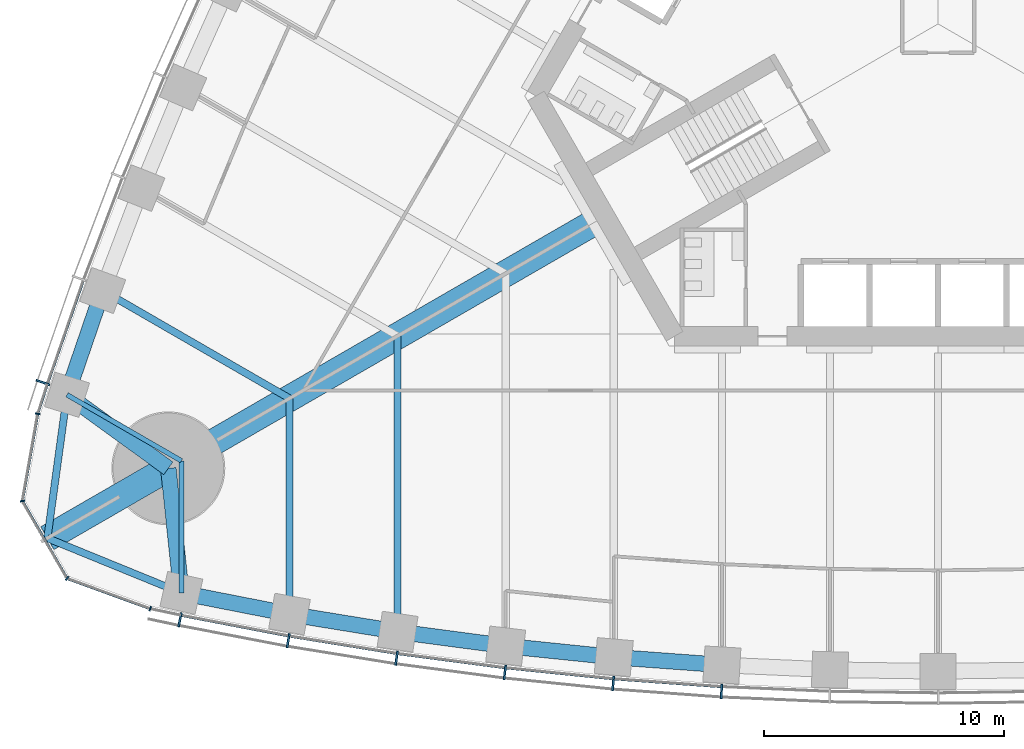
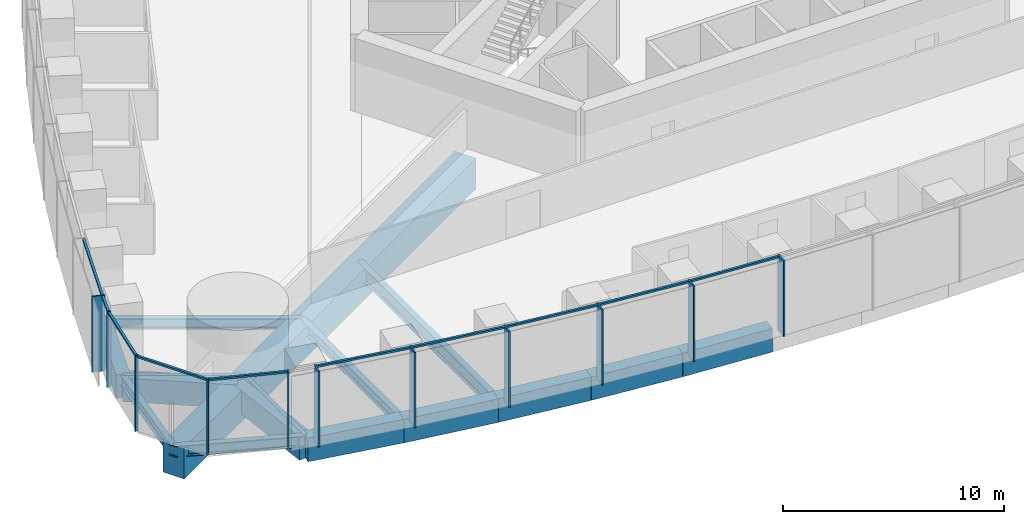
# One storey, part 2 of 18: 21 members, 17 beams, 3 elements without a shape of their own.
"""IFC4 building model written with IfcOpenShell, lengths in metres."""

from ifc_helpers import new_model, si_unit, direction, frame, origin, origin_2d, place, context, subcontext, project, spatial, rectangle, i_section, extrude, material, material_profile, profile_set, type_object, element, aggregate, save


model = new_model("IFC4")

# Units and contexts
model_context = context("Model", 3, precision=1e-05, world=origin(), true_north=direction((0.0, 1.0)))
body_context = subcontext(model_context, "Body", "Model", "MODEL_VIEW")
ifc_project = project(units=[si_unit("LENGTHUNIT", "METRE"), si_unit("AREAUNIT", "SQUARE_METRE"), si_unit("VOLUMEUNIT", "CUBIC_METRE"), si_unit("PLANEANGLEUNIT", "RADIAN"), si_unit("MASSUNIT", "GRAM", prefix="KILO")], contexts=[model_context])

# Site, building, storey
site_placement = place(None, origin())
site = spatial("IfcSite", under=ifc_project, at=site_placement, CompositionType="ELEMENT")
building_placement = place(site_placement, origin())
building = spatial("IfcBuilding", under=site, at=building_placement, Name="Trefoil Bronze Tower", CompositionType="ELEMENT")
storey_placement = place(building_placement, frame((0.0, 0.0, 54.300048828125)))
storey = spatial("IfcBuildingStorey", under=building, at=storey_placement, Name="L12", CompositionType="ELEMENT", Elevation=54.300048828125)

# Curtain wall, members
ifc_material_1 = material(Name="Tinted solar-control glass", Category="glass")
curtain_wall_type_1 = type_object("IfcCurtainWallType", Name="Bronze office curtain wall", PredefinedType="USERDEFINED", material=ifc_material_1)
curtain_wall_1_placement = place(storey_placement, origin())
curtain_wall_1 = element("IfcCurtainWall", 1, at=curtain_wall_1_placement, inside=storey, type_object=curtain_wall_type_1, Name="CW-A L12 F1", ObjectType="CURTAIN WALL", PredefinedType="USERDEFINED")
ifc_material_2 = material(Name="Bronze-finish aluminium", Category="aluminium")
ifc_material_profile_1 = material_profile(ifc_material_2, rectangle(XDim=0.60009765625, YDim=0.080078125, at=origin_2d()), Name="CW-A mullion")
ifc_profile_set_1 = profile_set([ifc_material_profile_1], Name="Bronze-finish aluminium")
member_type_1 = type_object("IfcMemberType", Name="Bronze office curtain wall mullion", PredefinedType="MULLION", material=ifc_profile_set_1)
member_1_placement = place(storey_placement, frame((-31.559326171875, -24.81005859375, 0.0), z_axis=(0.0, 0.0, 1.0), x_axis=(0.197910006829, 0.98022019424, 0.0)))
member_1 = element("IfcMember", 2, at=member_1_placement, type_object=member_type_1, Name="CW-A L12 F1 mullion 2", PredefinedType="MULLION", context=body_context, shape_type="SweptSolid", body=[
    extrude(rectangle(XDim=0.60009765625, YDim=0.080078125, at=origin_2d()), origin(), (0.0, 0.0, 1.0), 4.179931640625),
])
member_2_placement = place(storey_placement, frame((-27.05224609375, -25.67578125, 0.0), z_axis=(0.0, 0.0, 1.0), x_axis=(0.174131146426, 0.984722470468, 0.0)))
member_2 = element("IfcMember", 3, at=member_2_placement, type_object=member_type_1, Name="CW-A L12 F1 mullion 3", PredefinedType="MULLION", context=body_context, shape_type="SweptSolid", body=[
    extrude(rectangle(XDim=0.60009765625, YDim=0.080078125, at=origin_2d()), origin(), (0.0, 0.0, 1.0), 4.179931640625),
])
member_3_placement = place(storey_placement, frame((-22.54345703125, -26.40478515625, 0.0), z_axis=(0.0, 0.0, 1.0), x_axis=(0.145108990094, 0.989415676546, 0.0)))
member_3 = element("IfcMember", 4, at=member_3_placement, type_object=member_type_1, Name="CW-A L12 F1 mullion 4", PredefinedType="MULLION", context=body_context, shape_type="SweptSolid", body=[
    extrude(rectangle(XDim=0.60009765625, YDim=0.080078125, at=origin_2d()), origin(), (0.0, 0.0, 1.0), 4.179931640625),
])
member_4_placement = place(storey_placement, frame((-18.034912109375, -26.99853515625, 0.0), z_axis=(0.0, 0.0, 1.0), x_axis=(0.116086999973, 0.993239048989, 0.0)))
member_4 = element("IfcMember", 5, at=member_4_placement, type_object=member_type_1, Name="CW-A L12 F1 mullion 5", PredefinedType="MULLION", context=body_context, shape_type="SweptSolid", body=[
    extrude(rectangle(XDim=0.60009765625, YDim=0.080078125, at=origin_2d()), origin(), (0.0, 0.0, 1.0), 4.179931640625),
])
member_5_placement = place(storey_placement, frame((-13.526123046875, -27.458984375, 0.0), z_axis=(0.0, 0.0, 1.0), x_axis=(0.087065139456, 0.996202620701, 0.0)))
member_5 = element("IfcMember", 6, at=member_5_placement, type_object=member_type_1, Name="CW-A L12 F1 mullion 6", PredefinedType="MULLION", context=body_context, shape_type="SweptSolid", body=[
    extrude(rectangle(XDim=0.60009765625, YDim=0.080078125, at=origin_2d()), origin(), (0.0, 0.0, 1.0), 4.179931640625),
])
member_6_placement = place(storey_placement, frame((-9.017333984375, -27.786865234375, 0.0), z_axis=(0.0, 0.0, 1.0), x_axis=(0.058043374207, 0.998314062162, 0.0)))
member_6 = element("IfcMember", 7, at=member_6_placement, type_object=member_type_1, Name="CW-A L12 F1 mullion 7", PredefinedType="MULLION", context=body_context, shape_type="SweptSolid", body=[
    extrude(rectangle(XDim=0.60009765625, YDim=0.080078125, at=origin_2d()), origin(), (0.0, 0.0, 1.0), 4.179931640625),
])

# Curtain wall, member
curtain_wall_2_placement = place(storey_placement, origin())
curtain_wall_2 = element("IfcCurtainWall", 8, at=curtain_wall_2_placement, inside=storey, type_object=curtain_wall_type_1, Name="CW-A L12 F3", ObjectType="CURTAIN WALL", PredefinedType="USERDEFINED")
member_7_placement = place(storey_placement, frame((-37.265869140625, -14.92626953125, 0.0), z_axis=(0.0, 0.0, 1.0), x_axis=(0.947850592929, -0.318715003543, 0.0)))
member_7 = element("IfcMember", 9, at=member_7_placement, type_object=member_type_1, Name="CW-A L12 F3 mullion 16", PredefinedType="MULLION", context=body_context, shape_type="SweptSolid", body=[
    extrude(rectangle(XDim=0.60009765625, YDim=0.080078125, at=origin_2d()), origin(), (0.0, 0.0, 1.0), 4.179931640625),
])

# Member
ifc_material_3 = material(Name="Bronze-finish aluminium", Category="aluminium")
ifc_material_profile_2 = material_profile(ifc_material_3, rectangle(XDim=0.1201171875, YDim=0.10009765625, at=origin_2d()), Name="CW-A transom")
ifc_profile_set_2 = profile_set([ifc_material_profile_2], Name="Bronze-finish aluminium")
member_type_2 = type_object("IfcMemberType", Name="Bronze office curtain wall transom", PredefinedType="USERDEFINED", material=ifc_profile_set_2)
member_8_placement = place(storey_placement, frame((-31.4794921875, -24.621826171875, 4.1298828125), z_axis=(0.982053603997, -0.188602011855, 0.0), x_axis=(0.188602011855, 0.982053603997, 0.0)))
member_8 = element("IfcMember", 10, at=member_8_placement, type_object=member_type_2, Name="CW-A L12 F1 transom 2", ObjectType="TRANSOM", PredefinedType="USERDEFINED", context=body_context, shape_type="SweptSolid", body=[
    extrude(rectangle(XDim=0.1201171875, YDim=0.10009765625, at=origin_2d()), origin(), (0.0, 0.0, 1.0), 4.502197265625),
])

member_9_placement = place(storey_placement, frame((-26.9765625, -25.4853515625, 4.1298828125), z_axis=(0.987179401487, -0.159614627398, 0.0), x_axis=(0.159614627398, 0.987179401487, 0.0)))
member_9 = element("IfcMember", 11, at=member_9_placement, type_object=member_type_2, Name="CW-A L12 F1 transom 3", ObjectType="TRANSOM", PredefinedType="USERDEFINED", context=body_context, shape_type="SweptSolid", body=[
    extrude(rectangle(XDim=0.1201171875, YDim=0.10009765625, at=origin_2d()), origin(), (0.0, 0.0, 1.0), 4.478515625),
])

member_10_placement = place(storey_placement, frame((-22.473388671875, -26.212158203125, 4.1298828125), z_axis=(0.991436581643, -0.13058906761, 0.0), x_axis=(0.13058906761, 0.991436581643, 0.0)))
member_10 = element("IfcMember", 12, at=member_10_placement, type_object=member_type_2, Name="CW-A L12 F1 transom 4", ObjectType="TRANSOM", PredefinedType="USERDEFINED", context=body_context, shape_type="SweptSolid", body=[
    extrude(rectangle(XDim=0.1201171875, YDim=0.10009765625, at=origin_2d()), origin(), (0.0, 0.0, 1.0), 4.458740234375),
])

member_11_placement = place(storey_placement, frame((-17.970458984375, -26.80419921875, 4.1298828125), z_axis=(0.994831650915, -0.101538102888, 0.0), x_axis=(0.101538102888, 0.994831650915, 0.0)))
member_11 = element("IfcMember", 13, at=member_11_placement, type_object=member_type_2, Name="CW-A L12 F1 transom 5", ObjectType="TRANSOM", PredefinedType="USERDEFINED", context=body_context, shape_type="SweptSolid", body=[
    extrude(rectangle(XDim=0.1201171875, YDim=0.10009765625, at=origin_2d()), origin(), (0.0, 0.0, 1.0), 4.443359375),
])

member_12_placement = place(storey_placement, frame((-13.46728515625, -27.2626953125, 4.1298828125), z_axis=(0.997364729945, -0.07255064067, 0.0), x_axis=(0.07255064067, 0.997364729945, 0.0)))
member_12 = element("IfcMember", 14, at=member_12_placement, type_object=member_type_2, Name="CW-A L12 F1 transom 6", ObjectType="TRANSOM", PredefinedType="USERDEFINED", context=body_context, shape_type="SweptSolid", body=[
    extrude(rectangle(XDim=0.1201171875, YDim=0.10009765625, at=origin_2d()), origin(), (0.0, 0.0, 1.0), 4.431884765625),
])

aggregate(curtain_wall_1, [member_1, member_2, member_3, member_4, member_5, member_6, member_8, member_9, member_10, member_11, member_12])

member_13_placement = place(storey_placement, frame((-35.587646484375, -10.697509765625, 4.1298828125), z_axis=(-0.327689728493, -0.944785394595, 0.0), x_axis=(0.944785394595, -0.327689728493, 0.0)))
member_13 = element("IfcMember", 15, at=member_13_placement, type_object=member_type_2, Name="CW-A L12 F3 transom 15", ObjectType="TRANSOM", PredefinedType="USERDEFINED", context=body_context, shape_type="SweptSolid", body=[
    extrude(rectangle(XDim=0.1201171875, YDim=0.10009765625, at=origin_2d()), origin(), (0.0, 0.0, 1.0), 4.502197265625),
])

member_14_placement = place(storey_placement, frame((-37.089111328125, -15.02880859375, 4.1298828125), z_axis=(-0.309624219148, -0.950859002648, 0.0), x_axis=(0.950859002648, -0.309624219148, 0.0)))
member_14 = element("IfcMember", 16, at=member_14_placement, type_object=member_type_2, Name="CW-A L12 F3 transom 16", ObjectType="TRANSOM", PredefinedType="USERDEFINED", context=body_context, shape_type="SweptSolid", body=[
    extrude(rectangle(XDim=0.1201171875, YDim=0.10009765625, at=origin_2d()), origin(), (0.0, 0.0, 1.0), 1.21044921875),
])

aggregate(curtain_wall_2, [member_7, member_13, member_14])

# Curtain wall, members
ifc_material_4 = material(Name="Tinted solar-control glass", Category="glass")
curtain_wall_type_2 = type_object("IfcCurtainWallType", Name="Bronze rounded corner curtain wall", PredefinedType="USERDEFINED", material=ifc_material_4)
curtain_wall_3_placement = place(storey_placement, origin())
curtain_wall_3 = element("IfcCurtainWall", 17, at=curtain_wall_3_placement, inside=storey, type_object=curtain_wall_type_2, Name="CW-B L12 K3", ObjectType="CURTAIN WALL", PredefinedType="USERDEFINED")
ifc_material_5 = material(Name="Bronze-finish aluminium", Category="aluminium")
ifc_material_profile_3 = material_profile(ifc_material_5, rectangle(XDim=0.199951171875, YDim=0.06005859375, at=origin_2d()), Name="CW-B mullion")
ifc_profile_set_3 = profile_set([ifc_material_profile_3], Name="Bronze-finish aluminium")
member_type_3 = type_object("IfcMemberType", Name="Bronze rounded corner curtain wall mullion", PredefinedType="MULLION", material=ifc_profile_set_3)
member_15_placement = place(storey_placement, frame((-37.479736328125, -16.2314453125, 0.0), z_axis=(0.0, 0.0, 1.0), x_axis=(0.984807753012, -0.173648177667, 0.0)))
member_15 = element("IfcMember", 18, at=member_15_placement, type_object=member_type_3, Name="CW-B L12 K3 mullion 1", PredefinedType="MULLION", context=body_context, shape_type="SweptSolid", body=[
    extrude(rectangle(XDim=0.199951171875, YDim=0.06005859375, at=origin_2d()), origin(), (0.0, 0.0, 1.0), 4.179931640625),
])
member_16_placement = place(storey_placement, frame((-38.11328125, -19.85888671875, 0.0), z_axis=(0.0, 0.0, 1.0), x_axis=(0.984807753012, 0.173648177667, 0.0)))
member_16 = element("IfcMember", 19, at=member_16_placement, type_object=member_type_3, Name="CW-B L12 K3 mullion 2", PredefinedType="MULLION", context=body_context, shape_type="SweptSolid", body=[
    extrude(rectangle(XDim=0.199951171875, YDim=0.06005859375, at=origin_2d()), origin(), (0.0, 0.0, 1.0), 4.179931640625),
])
member_17_placement = place(storey_placement, frame((-36.2548828125, -23.07763671875, 0.0), z_axis=(0.0, 0.0, 1.0), x_axis=(0.642787609687, 0.766044443119, 0.0)))
member_17 = element("IfcMember", 20, at=member_17_placement, type_object=member_type_3, Name="CW-B L12 K3 mullion 3", PredefinedType="MULLION", context=body_context, shape_type="SweptSolid", body=[
    extrude(rectangle(XDim=0.199951171875, YDim=0.06005859375, at=origin_2d()), origin(), (0.0, 0.0, 1.0), 4.179931640625),
])
member_18_placement = place(storey_placement, frame((-32.796630859375, -24.3427734375, 0.0), z_axis=(0.0, 0.0, 1.0), x_axis=(0.342020143326, 0.939692620786, 0.0)))
member_18 = element("IfcMember", 21, at=member_18_placement, type_object=member_type_3, Name="CW-B L12 K3 mullion 4", PredefinedType="MULLION", context=body_context, shape_type="SweptSolid", body=[
    extrude(rectangle(XDim=0.199951171875, YDim=0.06005859375, at=origin_2d()), origin(), (0.0, 0.0, 1.0), 4.179931640625),
])
ifc_material_6 = material(Name="Bronze-finish aluminium", Category="aluminium")
ifc_material_profile_4 = material_profile(ifc_material_6, rectangle(XDim=0.1201171875, YDim=0.10009765625, at=origin_2d()), Name="CW-B transom")
ifc_profile_set_4 = profile_set([ifc_material_profile_4], Name="Bronze-finish aluminium")
member_type_4 = type_object("IfcMemberType", Name="Bronze rounded corner curtain wall transom", PredefinedType="USERDEFINED", material=ifc_profile_set_4)
member_19_placement = place(storey_placement, frame((-37.48486328125, -16.260986328125, 4.1298828125), z_axis=(-0.17363783606, -0.984809576461, 0.0), x_axis=(0.984809576461, -0.17363783606, 0.0)))
member_19 = element("IfcMember", 22, at=member_19_placement, type_object=member_type_4, Name="CW-B L12 K3 transom 1", ObjectType="TRANSOM", PredefinedType="USERDEFINED", context=body_context, shape_type="SweptSolid", body=[
    extrude(rectangle(XDim=0.1201171875, YDim=0.10009765625, at=origin_2d()), origin(), (0.0, 0.0, 1.0), 3.588134765625),
])
member_20_placement = place(storey_placement, frame((-38.08642578125, -19.91748046875, 4.1298828125), z_axis=(0.500024788772, -0.866011091507, 0.0), x_axis=(0.866011091507, 0.500024788772, 0.0)))
member_20 = element("IfcMember", 23, at=member_20_placement, type_object=member_type_4, Name="CW-B L12 K3 transom 2", ObjectType="TRANSOM", PredefinedType="USERDEFINED", context=body_context, shape_type="SweptSolid", body=[
    extrude(rectangle(XDim=0.1201171875, YDim=0.10009765625, at=origin_2d()), origin(), (0.0, 0.0, 1.0), 3.588134765625),
])
member_21_placement = place(storey_placement, frame((-36.196533203125, -23.105224609375, 4.1298828125), z_axis=(0.939688092095, -0.342032585545, 0.0), x_axis=(0.342032585545, 0.939688092095, 0.0)))
member_21 = element("IfcMember", 24, at=member_21_placement, type_object=member_type_4, Name="CW-B L12 K3 transom 3", ObjectType="TRANSOM", PredefinedType="USERDEFINED", context=body_context, shape_type="SweptSolid", body=[
    extrude(rectangle(XDim=0.1201171875, YDim=0.10009765625, at=origin_2d()), origin(), (0.0, 0.0, 1.0), 3.588134765625),
])
aggregate(curtain_wall_3, [member_15, member_16, member_17, member_18, member_19, member_20, member_21])

# Beams
ifc_material_7 = material(Name="Concrete B80", Category="concrete")
ifc_material_profile_5 = material_profile(ifc_material_7, rectangle(XDim=1.10009765625, YDim=1.699951171875, at=origin_2d()), Name="RC 1100x1700")
ifc_profile_set_5 = profile_set([ifc_material_profile_5], Name="Concrete B80")
beam_type_1 = type_object("IfcBeamType", Name="Corner cantilever RC 1100x1700", PredefinedType="BEAM", material=ifc_profile_set_5)
beam_1_placement = place(storey_placement, frame((-32.04296875, -18.5, -1.050048828125), z_axis=(-0.866030348588, -0.499991435252, 0.0), x_axis=(0.499991435252, -0.866030348588, 0.0)))
element("IfcBeam", 25, at=beam_1_placement, inside=storey, type_object=beam_type_1, Name="Corner cantilever K3 L12", PredefinedType="BEAM", context=body_context, shape_type="SweptSolid", body=[
    extrude(rectangle(XDim=1.10009765625, YDim=1.699951171875, at=origin_2d()), origin(), (0.0, 0.0, 1.0), 5.81396484375),
])
ifc_material_8 = material(Name="Steel C355", Category="steel")
ifc_material_profile_6 = material_profile(ifc_material_8, i_section(OverallWidth=0.300048828125, OverallDepth=0.60009765625, WebThickness=0.015380859375, FlangeThickness=0.030029296875, FilletRadius=0.027099609375, at=origin_2d()), Name="HEB 600")
ifc_profile_set_6 = profile_set([ifc_material_profile_6], Name="Steel C355")
beam_type_2 = type_object("IfcBeamType", Name="Corner edge beam HEB 600", PredefinedType="BEAM", material=ifc_profile_set_6)
beam_2_placement = place(storey_placement, frame((-31.5, -23.684814453125, -0.5), z_axis=(-0.925786874353, 0.378045848114, 0.0), x_axis=(-0.378045848114, -0.925786874353, 0.0)))
element("IfcBeam", 26, at=beam_2_placement, inside=storey, type_object=beam_type_2, Name="Corner edge beam F1B L12", PredefinedType="BEAM", context=body_context, shape_type="SweptSolid", body=[
    extrude(i_section(OverallWidth=0.300048828125, OverallDepth=0.60009765625, WebThickness=0.015380859375, FlangeThickness=0.030029296875, FilletRadius=0.027099609375, at=origin_2d()), origin(), (0.0, 0.0, 1.0), 6.025390625),
])
beam_3_placement = place(storey_placement, frame((-36.26171875, -15.4375, -0.5), z_axis=(-0.13550196505, -0.990777077585, 0.0), x_axis=(0.990777077585, -0.13550196505, 0.0)))
element("IfcBeam", 27, at=beam_3_placement, inside=storey, type_object=beam_type_2, Name="Corner edge beam F3A L12", PredefinedType="BEAM", context=body_context, shape_type="SweptSolid", body=[
    extrude(i_section(OverallWidth=0.300048828125, OverallDepth=0.60009765625, WebThickness=0.015380859375, FlangeThickness=0.030029296875, FilletRadius=0.027099609375, at=origin_2d()), origin(), (0.0, 0.0, 1.0), 6.025146484375),
])
ifc_material_9 = material(Name="Concrete B80", Category="concrete")
ifc_material_profile_7 = material_profile(ifc_material_9, rectangle(XDim=1.10009765625, YDim=1.699951171875, at=origin_2d()), Name="RC 1100x1700")
ifc_profile_set_7 = profile_set([ifc_material_profile_7], Name="Concrete B80")
beam_type_3 = type_object("IfcBeamType", Name="Corner girder RC 1100x1700", PredefinedType="BEAM", material=ifc_profile_set_7)
beam_4_placement = place(storey_placement, frame((-14.202880859375, -8.199951171875, -1.050048828125), z_axis=(-0.866023947468, -0.500002522405, 0.0), x_axis=(0.500002522405, -0.866023947468, 0.0)))
element("IfcBeam", 28, at=beam_4_placement, inside=storey, type_object=beam_type_3, Name="Corner girder K3 L12", PredefinedType="BEAM", context=body_context, shape_type="SweptSolid", body=[
    extrude(rectangle(XDim=1.10009765625, YDim=1.699951171875, at=origin_2d()), origin(), (0.0, 0.0, 1.0), 20.60009765625),
])
ifc_material_10 = material(Name="Concrete B80", Category="concrete")
ifc_material_profile_8 = material_profile(ifc_material_10, rectangle(XDim=0.64990234375, YDim=1.300048828125, at=origin_2d()), Name="RC 650x1300")
ifc_profile_set_8 = profile_set([ifc_material_profile_8], Name="Concrete B80")
beam_type_4 = type_object("IfcBeamType", Name="End spandrel beam RC 650x1300", PredefinedType="SPANDREL", material=ifc_profile_set_8)
for number, where, z_axis, x_axis, name in (
    (29, (-32.04296875, -18.5, -0.85009765625), (0.104153327908, -0.994561252154, 0.0), (0.994561252154, 0.104153327908, 0.0), "Spandrel F1.1 L12"),
    (30, (-36.26171875, -15.4375, -0.85009765625), (0.809254211267, -0.587458612624, 0.0), (0.587458612624, 0.809254211267, 0.0), "Spandrel F3.16 L12"),
):
    element("IfcBeam", number, at=place(storey_placement, frame(where, z_axis=z_axis, x_axis=x_axis)), inside=storey, type_object=beam_type_4, Name=name, PredefinedType="SPANDREL", context=body_context, shape_type="SweptSolid", body=[
        extrude(rectangle(XDim=0.64990234375, YDim=1.300048828125, at=origin_2d()), origin(), (0.0, 0.0, 1.0), 5.213134765625),
    ])
ifc_material_11 = material(Name="Steel C355", Category="steel")
ifc_material_profile_9 = material_profile(ifc_material_11, i_section(OverallWidth=0.300048828125, OverallDepth=0.590087890625, WebThickness=0.012939453125, FlangeThickness=0.02490234375, FilletRadius=0.027099609375, at=origin_2d()), Name="HEA 600")
ifc_profile_set_9 = profile_set([ifc_material_profile_9], Name="Steel C355")
beam_type_5 = type_object("IfcBeamType", Name="Floor beam HEA 600", PredefinedType="BEAM", material=ifc_profile_set_9)
for number, where, z_axis, x_axis, name in (
    (31, (-27.0, -24.56787109375, -0.4951171875), (0.0, 1.0, 0.0), (-1.0, 0.0, 0.0), "Floor beam F1/-6 L12"),
    (32, (-34.7763671875, -11.0986328125, -0.4951171875), (0.866022587327, -0.500004878216, 0.0), (0.500004878216, 0.866022587327, 0.0), "Floor beam F3/+6 L12"),
):
    element("IfcBeam", number, at=place(storey_placement, frame(where, z_axis=z_axis, x_axis=x_axis)), inside=storey, type_object=beam_type_5, Name=name, PredefinedType="BEAM", context=body_context, shape_type="SweptSolid", body=[
        extrude(i_section(OverallWidth=0.300048828125, OverallDepth=0.590087890625, WebThickness=0.012939453125, FlangeThickness=0.02490234375, FilletRadius=0.027099609375, at=origin_2d()), origin(), (0.0, 0.0, 1.0), 8.9794921875),
    ])
ifc_material_12 = material(Name="Steel C355", Category="steel")
ifc_material_profile_10 = material_profile(ifc_material_12, i_section(OverallWidth=0.300048828125, OverallDepth=0.800048828125, WebThickness=0.017578125, FlangeThickness=0.032958984375, FilletRadius=0.030029296875, at=origin_2d()), Name="HEB 800")
ifc_profile_set_10 = profile_set([ifc_material_profile_10], Name="Steel C355")
beam_type_6 = type_object("IfcBeamType", Name="Floor beam HEB 800", PredefinedType="BEAM", material=ifc_profile_set_10)
beam_5_placement = place(storey_placement, frame((-22.5, -25.29931640625, -0.60009765625), z_axis=(0.0, 1.0, 0.0), x_axis=(-1.0, 0.0, 0.0)))
element("IfcBeam", 33, at=beam_5_placement, inside=storey, type_object=beam_type_6, Name="Floor beam F1/-5 L12", PredefinedType="BEAM", context=body_context, shape_type="SweptSolid", body=[
    extrude(i_section(OverallWidth=0.300048828125, OverallDepth=0.800048828125, WebThickness=0.017578125, FlangeThickness=0.032958984375, FilletRadius=0.030029296875, at=origin_2d()), origin(), (0.0, 0.0, 1.0), 12.308837890625),
])
ifc_material_13 = material(Name="Steel C355", Category="steel")
ifc_material_profile_11 = material_profile(ifc_material_13, i_section(OverallWidth=0.199951171875, OverallDepth=0.5, WebThickness=0.01025390625, FlangeThickness=0.01611328125, FilletRadius=0.02099609375, at=origin_2d()), Name="IPE 500")
ifc_profile_set_11 = profile_set([ifc_material_profile_11], Name="Steel C355")
beam_type_7 = type_object("IfcBeamType", Name="Floor beam IPE 500", PredefinedType="BEAM", material=ifc_profile_set_11)
for number, where, z_axis, x_axis, name in (
    (34, (-31.5, -23.684814453125, -0.449951171875), (0.0, 1.0, 0.0), (-1.0, 0.0, 0.0), "Floor beam F1/-7 L12"),
    (35, (-36.26171875, -15.4375, -0.449951171875), (0.866037702141, -0.499978698016, 0.0), (0.499978698016, 0.866037702141, 0.0), "Floor beam F3/+7 L12"),
):
    element("IfcBeam", number, at=place(storey_placement, frame(where, z_axis=z_axis, x_axis=x_axis)), inside=storey, type_object=beam_type_7, Name=name, PredefinedType="BEAM", context=body_context, shape_type="SweptSolid", body=[
        extrude(i_section(OverallWidth=0.199951171875, OverallDepth=0.5, WebThickness=0.01025390625, FlangeThickness=0.01611328125, FilletRadius=0.02099609375, at=origin_2d()), origin(), (0.0, 0.0, 1.0), 5.498291015625),
    ])
ifc_material_14 = material(Name="Concrete B80", Category="concrete")
ifc_material_profile_12 = material_profile(ifc_material_14, rectangle(XDim=0.64990234375, YDim=1.300048828125, at=origin_2d()), Name="RC 650x1300")
ifc_profile_set_12 = profile_set([ifc_material_profile_12], Name="Concrete B80")
beam_type_8 = type_object("IfcBeamType", Name="Spandrel beam RC 650x1300", PredefinedType="SPANDREL", material=ifc_profile_set_12)
beam_6_placement = place(storey_placement, frame((-31.5, -23.684814453125, -0.85009765625), z_axis=(0.981284764092, -0.192562228283, 0.0), x_axis=(0.192562228283, 0.981284764092, 0.0)))
element("IfcBeam", 36, at=beam_6_placement, inside=storey, type_object=beam_type_8, Name="Spandrel F1.2 L12", PredefinedType="SPANDREL", context=body_context, shape_type="SweptSolid", body=[
    extrude(rectangle(XDim=0.64990234375, YDim=1.300048828125, at=origin_2d()), origin(), (0.0, 0.0, 1.0), 4.5859375),
])
beam_7_placement = place(storey_placement, frame((-27.0, -24.56787109375, -0.85009765625), z_axis=(0.987045951254, -0.160437807615, 0.0), x_axis=(0.160437807615, 0.987045951254, 0.0)))
element("IfcBeam", 37, at=beam_7_placement, inside=storey, type_object=beam_type_8, Name="Spandrel F1.3 L12", PredefinedType="SPANDREL", context=body_context, shape_type="SweptSolid", body=[
    extrude(rectangle(XDim=0.64990234375, YDim=1.300048828125, at=origin_2d()), origin(), (0.0, 0.0, 1.0), 4.55908203125),
])
beam_8_placement = place(storey_placement, frame((-22.5, -25.29931640625, -0.85009765625), z_axis=(0.991344474846, -0.131286450906, 0.0), x_axis=(0.131286450906, 0.991344474846, 0.0)))
element("IfcBeam", 38, at=beam_8_placement, inside=storey, type_object=beam_type_8, Name="Spandrel F1.4 L12", PredefinedType="SPANDREL", context=body_context, shape_type="SweptSolid", body=[
    extrude(rectangle(XDim=0.64990234375, YDim=1.300048828125, at=origin_2d()), origin(), (0.0, 0.0, 1.0), 4.539306640625),
])
beam_9_placement = place(storey_placement, frame((-18.0, -25.895263671875, -0.85009765625), z_axis=(0.994778488621, -0.102057623805, 0.0), x_axis=(0.102057623805, 0.994778488621, 0.0)))
element("IfcBeam", 39, at=beam_9_placement, inside=storey, type_object=beam_type_8, Name="Spandrel F1.5 L12", PredefinedType="SPANDREL", context=body_context, shape_type="SweptSolid", body=[
    extrude(rectangle(XDim=0.64990234375, YDim=1.300048828125, at=origin_2d()), origin(), (0.0, 0.0, 1.0), 4.523681640625),
])
beam_10_placement = place(storey_placement, frame((-13.5, -26.35693359375, -0.85009765625), z_axis=(0.997336412354, -0.072938882588, 0.0), x_axis=(0.072938882588, 0.997336412354, 0.0)))
element("IfcBeam", 40, at=beam_10_placement, inside=storey, type_object=beam_type_8, Name="Spandrel F1.6 L12", PredefinedType="SPANDREL", context=body_context, shape_type="SweptSolid", body=[
    extrude(rectangle(XDim=0.64990234375, YDim=1.300048828125, at=origin_2d()), origin(), (0.0, 0.0, 1.0), 4.511962890625),
])
beam_11_placement = place(storey_placement, frame((-34.7763671875, -11.0986328125, -0.85009765625), z_axis=(-0.323883319148, -0.946097032855, 0.0), x_axis=(0.946097032855, -0.323883319148, 0.0)))
element("IfcBeam", 41, at=beam_11_placement, inside=storey, type_object=beam_type_8, Name="Spandrel F3.15 L12", PredefinedType="SPANDREL", context=body_context, shape_type="SweptSolid", body=[
    extrude(rectangle(XDim=0.64990234375, YDim=1.300048828125, at=origin_2d()), origin(), (0.0, 0.0, 1.0), 4.586181640625),
])

save(model, "model.ifc")
